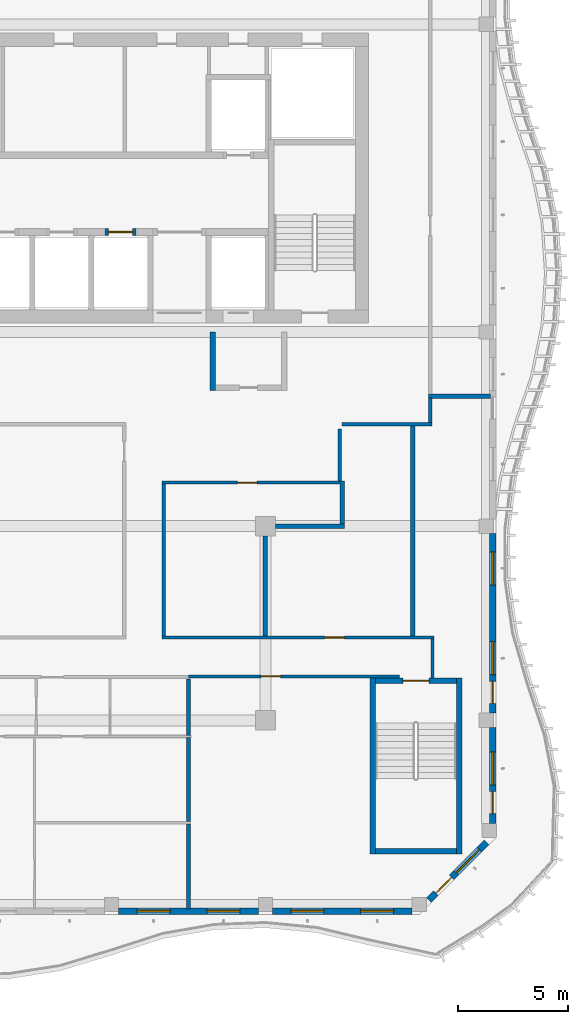
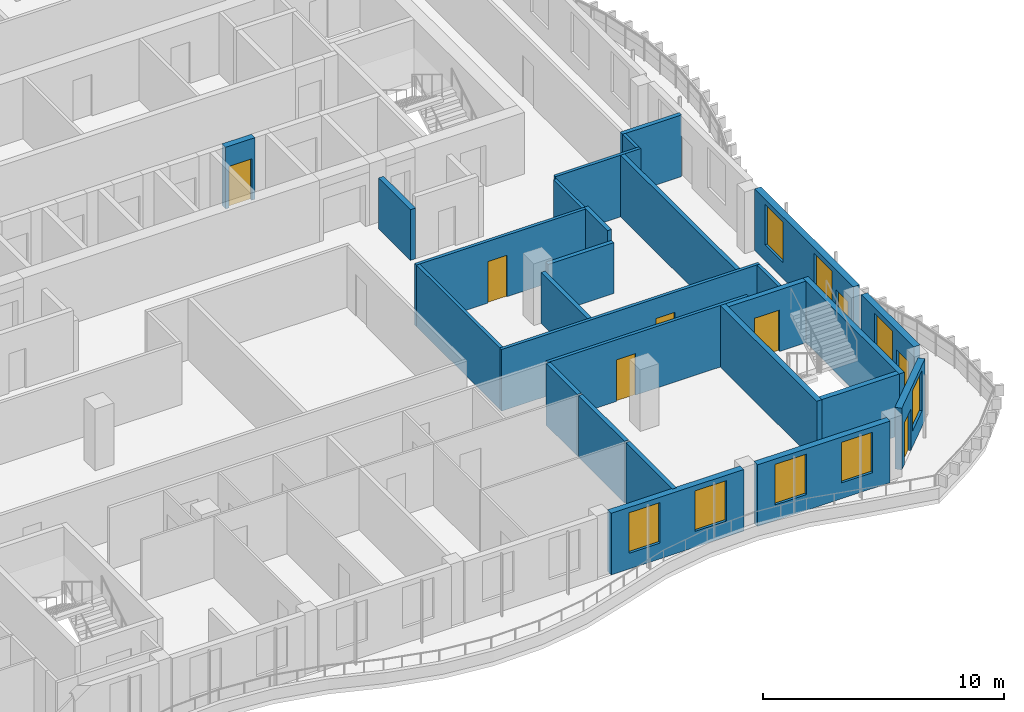
# One storey, part 5 of 18: 27 walls, 8 doors, 8 windows, 16 openings.
"""IFC4 building model written with IfcOpenShell, lengths in metres."""

from ifc_helpers import new_model, si_unit, direction, frame, frame_2d, origin, place, context, subcontext, project, spatial, rectangle, extrude, source, transform, mapped, material, layer, layer_set, type_object, element, fill, save


model = new_model("IFC4")

# Units and contexts
model_context = context("Model", 3, precision=1e-05, world=origin(), true_north=direction((0.0, 1.0)))
body_context = subcontext(model_context, "Body", "Model", "MODEL_VIEW")
ifc_project = project(units=[si_unit("LENGTHUNIT", "METRE"), si_unit("AREAUNIT", "SQUARE_METRE"), si_unit("VOLUMEUNIT", "CUBIC_METRE"), si_unit("PLANEANGLEUNIT", "RADIAN"), si_unit("MASSUNIT", "GRAM", prefix="KILO")], contexts=[model_context])

# Site, building, storey
site_placement = place(None, origin())
site = spatial("IfcSite", under=ifc_project, at=site_placement, CompositionType="ELEMENT")
building_placement = place(site_placement, origin())
building = spatial("IfcBuilding", under=site, at=building_placement, Name="Kilnfold Tower and Market Hall", CompositionType="ELEMENT")
storey_placement = place(building_placement, frame((0.0, 0.0, 280.60009765625)))
storey = spatial("IfcBuildingStorey", under=building, at=storey_placement, Name="L69", CompositionType="ELEMENT", Elevation=280.60009765625)

# Walls
ifc_material_1 = material(Name="Gypsum board on steel studs", Category="steel")
ifc_layer_1 = layer(ifc_material_1, 0.14990234375)
ifc_layer_set_1 = layer_set([ifc_layer_1], Name="Gypsum board on steel studs")
wall_type_1 = type_object("IfcWallType", Name="WALL CORRIDOR 150", PredefinedType="PARTITIONING", material=ifc_layer_set_1)
wall_1_placement = place(storey_placement, frame((20.5, 3.875, 0.0), z_axis=(0.0, 0.0, 1.0), x_axis=(0.0, 1.0, 0.0)))
element("IfcWall", 1, at=wall_1_placement, inside=storey, type_object=wall_type_1, Name="Partition LY42.15", PredefinedType="PARTITIONING", context=body_context, shape_type="SweptSolid", body=[
    extrude(rectangle(XDim=1.117919921875, YDim=0.14990234375, at=frame_2d((0.55908203125, 0.0))), origin(), (0.0, 0.0, 1.0), 3.119873046875),
])
wall_2_placement = place(storey_placement, frame((20.60009765625, -7.75, 0.0), z_axis=(0.0, 0.0, 1.0), x_axis=(0.0, 1.0, 0.0)))
element("IfcWall", 2, at=wall_2_placement, inside=storey, type_object=wall_type_1, Name="Partition LY42.16", PredefinedType="PARTITIONING", context=body_context, shape_type="SweptSolid", body=[
    extrude(rectangle(XDim=1.77490234375, YDim=0.14990234375, at=frame_2d((0.887451171875, 0.0))), origin(), (0.0, 0.0, 1.0), 3.119873046875),
])

# Wall, opening, door
wall_3_placement = place(storey_placement, frame((9.489990234375, -7.669921875, 0.0), z_axis=(0.0, 0.0, 1.0), x_axis=(1.0, 0.0, 0.0)))
wall_3 = element("IfcWall", 3, at=wall_3_placement, inside=storey, type_object=wall_type_1, Name="Partition LY42.17", PredefinedType="PARTITIONING", context=body_context, shape_type="SweptSolid", body=[
    extrude(rectangle(XDim=9.610107421875, YDim=0.14990234375, at=frame_2d((4.80517578125, 0.0))), origin(), (0.0, 0.0, 1.0), 3.119873046875),
])
opening_1_placement = place(wall_3_placement, frame((3.303955078125, 0.0, 0.0)))
opening_1 = element("IfcOpeningElement", 4, at=opening_1_placement, cuts=wall_3, Name="Opening D2", PredefinedType="OPENING", context=body_context, shape_type="SweptSolid", body=[
    extrude(rectangle(XDim=0.89990234375, YDim=2.10009765625, at=frame_2d((0.449951171875, 1.050048828125))), frame((0.0, 0.0849609375, 0.0), z_axis=(0.0, -1.0, 0.0), x_axis=(1.0, 0.0, 0.0)), (0.0, 0.0, 1.0), 0.169921875),
])
ifc_material_2 = material(Name="Timber veneer door leaf in steel frame", Category="steel")
door_type_1 = type_object("IfcDoorType", Name="DOOR ROOM 900 X2100", OperationType="NOTDEFINED", PredefinedType="DOOR", material=ifc_material_2)
door_1_placement = place(opening_1_placement, origin())
door_1 = element("IfcDoor", 5, at=door_1_placement, inside=storey, type_object=door_type_1, Name="Door D2", OperationType="SINGLE_SWING_RIGHT", OverallHeight=2.10009765625, OverallWidth=0.89990234375, PredefinedType="DOOR", context=body_context, shape_type="SweptSolid", body=[
    extrude(rectangle(XDim=0.89990234375, YDim=2.10009765625, at=frame_2d((0.449951171875, 1.050048828125))), frame((0.0, 0.02490234375, 0.0), z_axis=(0.0, -1.0, 0.0), x_axis=(1.0, 0.0, 0.0)), (0.0, 0.0, 1.0), 0.050048828125),
])
fill(opening_1, door_1)

# Wall
wall_4_placement = place(storey_placement, frame((16.3798828125, 1.22509765625, 0.0), z_axis=(0.0, 0.0, 1.0), x_axis=(0.0, 1.0, 0.0)))
element("IfcWall", 6, at=wall_4_placement, inside=storey, type_object=wall_type_1, Name="Partition LY42.28", PredefinedType="PARTITIONING", context=body_context, shape_type="SweptSolid", body=[
    extrude(rectangle(XDim=2.367919921875, YDim=0.14990234375, at=frame_2d((1.18408203125, 0.0))), origin(), (0.0, 0.0, 1.0), 3.119873046875),
])

# Wall, opening, door
wall_5_placement = place(storey_placement, frame((8.304931640625, 1.14990234375, 0.0), z_axis=(0.0, 0.0, 1.0), x_axis=(1.0, 0.0, 0.0)))
wall_5 = element("IfcWall", 7, at=wall_5_placement, inside=storey, type_object=wall_type_1, Name="Partition LY42.29", PredefinedType="PARTITIONING", context=body_context, shape_type="SweptSolid", body=[
    extrude(rectangle(XDim=8.094970703125, YDim=0.14990234375, at=frame_2d((4.04736328125, 0.0))), origin(), (0.0, 0.0, 1.0), 3.119873046875),
])
opening_2_placement = place(wall_5_placement, frame((3.424072265625, 0.0, 0.0)))
opening_2 = element("IfcOpeningElement", 8, at=opening_2_placement, cuts=wall_5, Name="Opening D2", PredefinedType="OPENING", context=body_context, shape_type="SweptSolid", body=[
    extrude(rectangle(XDim=0.89990234375, YDim=2.10009765625, at=frame_2d((0.449951171875, 1.050048828125))), frame((0.0, 0.0849609375, 0.0), z_axis=(0.0, -1.0, 0.0), x_axis=(1.0, 0.0, 0.0)), (0.0, 0.0, 1.0), 0.169921875),
])
door_2_placement = place(opening_2_placement, origin())
door_2 = element("IfcDoor", 9, at=door_2_placement, inside=storey, type_object=door_type_1, Name="Door D2", OperationType="SINGLE_SWING_LEFT", OverallHeight=2.10009765625, OverallWidth=0.89990234375, PredefinedType="DOOR", context=body_context, shape_type="SweptSolid", body=[
    extrude(rectangle(XDim=0.89990234375, YDim=2.10009765625, at=frame_2d((0.449951171875, 1.050048828125))), frame((0.0, 0.02490234375, 0.0), z_axis=(0.0, -1.0, 0.0), x_axis=(1.0, 0.0, 0.0)), (0.0, 0.0, 1.0), 0.050048828125),
])
fill(opening_2, door_2)

# Wall
wall_6_placement = place(storey_placement, frame((8.3798828125, -5.824951171875, 0.0), z_axis=(0.0, 0.0, 1.0), x_axis=(0.0, 1.0, 0.0)))
element("IfcWall", 10, at=wall_6_placement, inside=storey, type_object=wall_type_1, Name="Partition LY42.30", PredefinedType="PARTITIONING", context=body_context, shape_type="SweptSolid", body=[
    extrude(rectangle(XDim=6.89990234375, YDim=0.14990234375, at=frame_2d((3.449951171875, 0.0))), origin(), (0.0, 0.0, 1.0), 3.119873046875),
])

# Wall, opening, door
wall_7_placement = place(storey_placement, frame((8.304931640625, -5.89990234375, 0.0), z_axis=(0.0, 0.0, 1.0), x_axis=(1.0, 0.0, 0.0)))
wall_7 = element("IfcWall", 11, at=wall_7_placement, inside=storey, type_object=wall_type_1, Name="Partition LY42.31", PredefinedType="PARTITIONING", context=body_context, shape_type="SweptSolid", body=[
    extrude(rectangle(XDim=12.3701171875, YDim=0.14990234375, at=frame_2d((6.18505859375, 0.0))), origin(), (0.0, 0.0, 1.0), 3.119873046875),
])
opening_3_placement = place(wall_7_placement, frame((7.39404296875, 0.0, 0.0)))
opening_3 = element("IfcOpeningElement", 12, at=opening_3_placement, cuts=wall_7, Name="Opening D2", PredefinedType="OPENING", context=body_context, shape_type="SweptSolid", body=[
    extrude(rectangle(XDim=0.89990234375, YDim=2.10009765625, at=frame_2d((0.449951171875, 1.050048828125))), frame((0.0, 0.0849609375, 0.0), z_axis=(0.0, -1.0, 0.0), x_axis=(1.0, 0.0, 0.0)), (0.0, 0.0, 1.0), 0.169921875),
])
door_3_placement = place(opening_3_placement, origin())
door_3 = element("IfcDoor", 13, at=door_3_placement, inside=storey, type_object=door_type_1, Name="Door D2", OperationType="SINGLE_SWING_RIGHT", OverallHeight=2.10009765625, OverallWidth=0.89990234375, PredefinedType="DOOR", context=body_context, shape_type="SweptSolid", body=[
    extrude(rectangle(XDim=0.89990234375, YDim=2.10009765625, at=frame_2d((0.449951171875, 1.050048828125))), frame((0.0, 0.02490234375, 0.0), z_axis=(0.0, -1.0, 0.0), x_axis=(1.0, 0.0, 0.0)), (0.0, 0.0, 1.0), 0.050048828125),
])
fill(opening_3, door_3)

# Walls
wall_8_placement = place(storey_placement, frame((16.489990234375, 3.800048828125, 0.0), z_axis=(0.0, 0.0, 1.0), x_axis=(1.0, 0.0, 0.0)))
element("IfcWall", 14, at=wall_8_placement, inside=storey, type_object=wall_type_1, Name="Partition LY42.32", PredefinedType="PARTITIONING", context=body_context, shape_type="SweptSolid", body=[
    extrude(rectangle(XDim=4.0849609375, YDim=0.14990234375, at=frame_2d((2.04248046875, 0.0))), origin(), (0.0, 0.0, 1.0), 3.119873046875),
])
ifc_material_3 = material(Name="Gypsum board on steel studs", Category="steel")
ifc_layer_2 = layer(ifc_material_3, 0.199951171875)
ifc_layer_set_2 = layer_set([ifc_layer_2], Name="Gypsum board on steel studs")
wall_type_2 = type_object("IfcWallType", Name="WALL PARTY 200", PredefinedType="PARTITIONING", material=ifc_layer_set_2)
wall_9_placement = place(storey_placement, frame((9.5, -10.35009765625, 0.0), z_axis=(0.0, 0.0, 1.0), x_axis=(0.0, 1.0, 0.0)))
element("IfcWall", 15, at=wall_9_placement, inside=storey, type_object=wall_type_2, Name="Partition LY42.56", PredefinedType="PARTITIONING", context=body_context, shape_type="SweptSolid", body=[
    extrude(rectangle(XDim=2.572998046875, YDim=0.199951171875, at=frame_2d((1.28662109375, 0.0))), origin(), (0.0, 0.0, 1.0), 3.119873046875),
])
wall_10_placement = place(storey_placement, frame((9.5, -18.25, 0.0), z_axis=(0.0, 0.0, 1.0), x_axis=(0.0, 1.0, 0.0)))
element("IfcWall", 16, at=wall_10_placement, inside=storey, type_object=wall_type_2, Name="Partition LY42.60", PredefinedType="PARTITIONING", context=body_context, shape_type="SweptSolid", body=[
    extrude(rectangle(XDim=3.8740234375, YDim=0.199951171875, at=frame_2d((1.93701171875, 0.0))), origin(), (0.0, 0.0, 1.0), 3.119873046875),
])
wall_11_placement = place(storey_placement, frame((9.5, -14.27587890625, 0.0), z_axis=(0.0, 0.0, 1.0), x_axis=(0.0, 1.0, 0.0)))
element("IfcWall", 17, at=wall_11_placement, inside=storey, type_object=wall_type_2, Name="Partition LY42.61", PredefinedType="PARTITIONING", context=body_context, shape_type="SweptSolid", body=[
    extrude(rectangle(XDim=3.823974609375, YDim=0.199951171875, at=frame_2d((1.912109375, 0.0))), origin(), (0.0, 0.0, 1.0), 3.119873046875),
])
wall_12_placement = place(storey_placement, frame((23.25, 5.0830078125, 0.0), z_axis=(0.0, 0.0, 1.0), x_axis=(-1.0, 0.0, 0.0)))
element("IfcWall", 18, at=wall_12_placement, inside=storey, type_object=wall_type_2, Name="Partition LY42.62", PredefinedType="PARTITIONING", context=body_context, shape_type="SweptSolid", body=[
    extrude(rectangle(XDim=2.822998046875, YDim=0.199951171875, at=frame_2d((1.41162109375, 0.0))), origin(), (0.0, 0.0, 1.0), 3.119873046875),
])
wall_13_placement = place(storey_placement, frame((19.699951171875, 3.722900390625, 0.0), z_axis=(0.0, 0.0, 1.0), x_axis=(0.0, -1.0, 0.0)))
element("IfcWall", 19, at=wall_13_placement, inside=storey, type_object=wall_type_2, Name="Partition LY42.63", PredefinedType="PARTITIONING", context=body_context, shape_type="SweptSolid", body=[
    extrude(rectangle(XDim=9.5458984375, YDim=0.199951171875, at=frame_2d((4.77294921875, 0.0))), origin(), (0.0, 0.0, 1.0), 3.119873046875),
])
wall_14_placement = place(storey_placement, frame((16.5, -0.73291015625, 0.0), z_axis=(0.0, 0.0, 1.0), x_axis=(0.0, 1.0, 0.0)))
element("IfcWall", 20, at=wall_14_placement, inside=storey, type_object=wall_type_2, Name="Partition LY42.80", PredefinedType="PARTITIONING", context=body_context, shape_type="SweptSolid", body=[
    extrude(rectangle(XDim=1.9580078125, YDim=0.199951171875, at=frame_2d((0.97900390625, 0.0))), origin(), (0.0, 0.0, 1.0), 3.119873046875),
])
wall_15_placement = place(storey_placement, frame((13.449951171875, -0.8330078125, 0.0), z_axis=(0.0, 0.0, 1.0), x_axis=(1.0, 0.0, 0.0)))
element("IfcWall", 21, at=wall_15_placement, inside=storey, type_object=wall_type_2, Name="Partition LY42.81", PredefinedType="PARTITIONING", context=body_context, shape_type="SweptSolid", body=[
    extrude(rectangle(XDim=3.150146484375, YDim=0.199951171875, at=frame_2d((1.5751953125, 0.0))), origin(), (0.0, 0.0, 1.0), 2.56982421875),
])
wall_16_placement = place(storey_placement, frame((13.0, -5.822998046875, 0.0), z_axis=(0.0, 0.0, 1.0), x_axis=(0.0, 1.0, 0.0)))
element("IfcWall", 22, at=wall_16_placement, inside=storey, type_object=wall_type_2, Name="Partition LY42.82", PredefinedType="PARTITIONING", context=body_context, shape_type="SweptSolid", body=[
    extrude(rectangle(XDim=4.5400390625, YDim=0.199951171875, at=frame_2d((2.27001953125, 0.0))), origin(), (0.0, 0.0, 1.0), 2.56982421875),
])
ifc_material_4 = material(Name="Concrete C50", Category="concrete")
ifc_layer_3 = layer(ifc_material_4, 0.25)
ifc_layer_set_3 = layer_set([ifc_layer_3], Name="Concrete C50")
wall_type_3 = type_object("IfcWallType", Name="CORE WALL 250 C50", PredefinedType="SHEAR", material=ifc_layer_set_3)
shared_shape_1 = source(origin(), body_context, "Body", "SweptSolid", [
    extrude(rectangle(XDim=3.699951171875, YDim=0.25, at=frame_2d((1.85009765625, 0.0))), origin(), (0.0, 0.0, 1.0), 3.119873046875),
])
wall_17_placement = place(storey_placement, frame((18.0, -15.625, 0.0), z_axis=(0.0, 0.0, 1.0), x_axis=(1.0, 0.0, 0.0)))
element("IfcWall", 23, at=wall_17_placement, inside=storey, type_object=wall_type_3, Name="Stair enclosure ST4", PredefinedType="SHEAR", context=body_context, shape_type="MappedRepresentation", body=[
    mapped(shared_shape_1, transform((0.0, 0.0, 0.0))),
])

# Wall, opening, door
wall_18_placement = place(storey_placement, frame((18.0, -7.875, 0.0), z_axis=(0.0, 0.0, 1.0), x_axis=(1.0, 0.0, 0.0)))
wall_18 = element("IfcWall", 24, at=wall_18_placement, inside=storey, type_object=wall_type_3, Name="Stair enclosure ST4", PredefinedType="SHEAR", context=body_context, shape_type="MappedRepresentation", body=[
    mapped(shared_shape_1, transform((0.0, 0.0, 0.0))),
])
opening_4_placement = place(wall_18_placement, frame((1.25, 0.0, 0.0)))
opening_4 = element("IfcOpeningElement", 25, at=opening_4_placement, cuts=wall_18, Name="Opening SD1", PredefinedType="OPENING", context=body_context, shape_type="SweptSolid", body=[
    extrude(rectangle(XDim=1.199951171875, YDim=2.10009765625, at=frame_2d((0.60009765625, 1.050048828125))), frame((0.0, 0.135009765625, 0.0), z_axis=(0.0, -1.0, 0.0), x_axis=(1.0, 0.0, 0.0)), (0.0, 0.0, 1.0), 0.27001953125),
])
ifc_material_5 = material(Name="Steel door set with fire-resisting leaf", Category="steel")
door_type_2 = type_object("IfcDoorType", Name="STAIR FLOOR DOOR 1200X2100", OperationType="NOTDEFINED", PredefinedType="DOOR", material=ifc_material_5)
door_4_placement = place(opening_4_placement, origin())
door_4 = element("IfcDoor", 26, at=door_4_placement, inside=storey, type_object=door_type_2, Name="Exit stair ST4 door", OperationType="DOUBLE_DOOR_SINGLE_SWING", OverallHeight=2.10009765625, OverallWidth=1.199951171875, PredefinedType="DOOR", context=body_context, shape_type="SweptSolid", body=[
    extrude(rectangle(XDim=1.199951171875, YDim=2.10009765625, at=frame_2d((0.60009765625, 1.050048828125))), frame((0.0, 0.02490234375, 0.0), z_axis=(0.0, -1.0, 0.0), x_axis=(1.0, 0.0, 0.0)), (0.0, 0.0, 1.0), 0.050048828125),
])
fill(opening_4, door_4)

# Walls
shared_shape_2 = source(origin(), body_context, "Body", "SweptSolid", [
    extrude(rectangle(XDim=8.0, YDim=0.25, at=frame_2d((4.0, 0.0))), origin(), (0.0, 0.0, 1.0), 3.119873046875),
])
for number, where, z_axis, x_axis, name in (
    (27, (17.875, -15.75, 0.0), (0.0, 0.0, 1.0), (0.0, 1.0, 0.0), "Stair enclosure ST4"),
    (28, (21.824951171875, -15.75, 0.0), (0.0, 0.0, 1.0), (0.0, 1.0, 0.0), "Stair enclosure ST4"),
):
    element("IfcWall", number, at=place(storey_placement, frame(where, z_axis=z_axis, x_axis=x_axis)), inside=storey, type_object=wall_type_3, Name=name, PredefinedType="SHEAR", context=body_context, shape_type="MappedRepresentation", body=[
        mapped(shared_shape_2, transform((0.0, 0.0, 0.0))),
    ])

# Wall, openings, windows
ifc_material_6 = material(Name="Precast concrete C50/60", Category="concrete")
ifc_layer_4 = layer(ifc_material_6, 0.300048828125)
ifc_layer_set_4 = layer_set([ifc_layer_4], Name="Precast concrete C50/60")
wall_type_4 = type_object("IfcWallType", Name="PRECAST WALL 300", PredefinedType="SOLIDWALL", material=ifc_layer_set_4)
shared_shape_3 = source(origin(), body_context, "Body", "SweptSolid", [
    extrude(rectangle(XDim=6.35009765625, YDim=0.300048828125, at=frame_2d((3.175048828125, 0.0))), origin(), (0.0, 0.0, 1.0), 3.119873046875),
])
wall_19_placement = place(storey_placement, frame((6.324951171875, -18.35009765625, 0.0), z_axis=(0.0, 0.0, 1.0), x_axis=(1.0, 0.0, 0.0)))
wall_19 = element("IfcWall", 29, at=wall_19_placement, inside=storey, type_object=wall_type_4, Name="External wall L69 S", PredefinedType="SOLIDWALL", context=body_context, shape_type="MappedRepresentation", body=[
    mapped(shared_shape_3, transform((0.0, 0.0, 0.0))),
])
opening_5_placement = place(wall_19_placement, frame((0.83740234375, 0.0, 0.800048828125)))
opening_5 = element("IfcOpeningElement", 30, at=opening_5_placement, cuts=wall_19, Name="Opening W5", PredefinedType="OPENING", context=body_context, shape_type="SweptSolid", body=[
    extrude(rectangle(XDim=1.5, YDim=2.050048828125, at=frame_2d((0.75, 1.02490234375))), frame((0.0, 0.16015625, 0.0), z_axis=(0.0, -1.0, 0.0), x_axis=(1.0, 0.0, 0.0)), (0.0, 0.0, 1.0), 0.320068359375),
])
opening_6_placement = place(wall_19_placement, frame((4.012451171875, 0.0, 0.800048828125)))
opening_6 = element("IfcOpeningElement", 31, at=opening_6_placement, cuts=wall_19, Name="Opening W5", PredefinedType="OPENING", context=body_context, shape_type="SweptSolid", body=[
    extrude(rectangle(XDim=1.5, YDim=2.050048828125, at=frame_2d((0.75, 1.02490234375))), frame((0.0, 0.16015625, 0.0), z_axis=(0.0, -1.0, 0.0), x_axis=(1.0, 0.0, 0.0)), (0.0, 0.0, 1.0), 0.320068359375),
])
ifc_material_7 = material(Name="Aluminium frame and double glazing", Category="aluminium")
window_type = type_object("IfcWindowType", Name="WINDOW W5 1500X2050", PartitioningType="SINGLE_PANEL", PredefinedType="WINDOW", material=ifc_material_7)
window_1_placement = place(opening_5_placement, origin())
window_1 = element("IfcWindow", 32, at=window_1_placement, inside=storey, type_object=window_type, Name="Window W5 L69 S-1", OverallHeight=2.050048828125, OverallWidth=1.5, PartitioningType="SINGLE_PANEL", PredefinedType="WINDOW", context=body_context, shape_type="SweptSolid", body=[
    extrude(rectangle(XDim=1.5, YDim=2.050048828125, at=frame_2d((0.75, 1.02490234375))), frame((0.0, 0.030029296875, 0.0), z_axis=(0.0, -1.0, 0.0), x_axis=(1.0, 0.0, 0.0)), (0.0, 0.0, 1.0), 0.06005859375),
])
fill(opening_5, window_1)
window_2_placement = place(opening_6_placement, origin())
window_2 = element("IfcWindow", 33, at=window_2_placement, inside=storey, type_object=window_type, Name="Window W5 L69 S-2", OverallHeight=2.050048828125, OverallWidth=1.5, PartitioningType="SINGLE_PANEL", PredefinedType="WINDOW", context=body_context, shape_type="SweptSolid", body=[
    extrude(rectangle(XDim=1.5, YDim=2.050048828125, at=frame_2d((0.75, 1.02490234375))), frame((0.0, 0.030029296875, 0.0), z_axis=(0.0, -1.0, 0.0), x_axis=(1.0, 0.0, 0.0)), (0.0, 0.0, 1.0), 0.06005859375),
])
fill(opening_6, window_2)

wall_20_placement = place(storey_placement, frame((13.324951171875, -18.35009765625, 0.0), z_axis=(0.0, 0.0, 1.0), x_axis=(1.0, 0.0, 0.0)))
wall_20 = element("IfcWall", 34, at=wall_20_placement, inside=storey, type_object=wall_type_4, Name="External wall L69 S", PredefinedType="SOLIDWALL", context=body_context, shape_type="MappedRepresentation", body=[
    mapped(shared_shape_3, transform((0.0, 0.0, 0.0))),
])
opening_7_placement = place(wall_20_placement, frame((0.83740234375, 0.0, 0.800048828125)))
opening_7 = element("IfcOpeningElement", 35, at=opening_7_placement, cuts=wall_20, Name="Opening W5", PredefinedType="OPENING", context=body_context, shape_type="SweptSolid", body=[
    extrude(rectangle(XDim=1.5, YDim=2.050048828125, at=frame_2d((0.75, 1.02490234375))), frame((0.0, 0.16015625, 0.0), z_axis=(0.0, -1.0, 0.0), x_axis=(1.0, 0.0, 0.0)), (0.0, 0.0, 1.0), 0.320068359375),
])
opening_8_placement = place(wall_20_placement, frame((4.012451171875, 0.0, 0.800048828125)))
opening_8 = element("IfcOpeningElement", 36, at=opening_8_placement, cuts=wall_20, Name="Opening W5", PredefinedType="OPENING", context=body_context, shape_type="SweptSolid", body=[
    extrude(rectangle(XDim=1.5, YDim=2.050048828125, at=frame_2d((0.75, 1.02490234375))), frame((0.0, 0.16015625, 0.0), z_axis=(0.0, -1.0, 0.0), x_axis=(1.0, 0.0, 0.0)), (0.0, 0.0, 1.0), 0.320068359375),
])
window_3_placement = place(opening_7_placement, origin())
window_3 = element("IfcWindow", 37, at=window_3_placement, inside=storey, type_object=window_type, Name="Window W5 L69 S-1", OverallHeight=2.050048828125, OverallWidth=1.5, PartitioningType="SINGLE_PANEL", PredefinedType="WINDOW", context=body_context, shape_type="SweptSolid", body=[
    extrude(rectangle(XDim=1.5, YDim=2.050048828125, at=frame_2d((0.75, 1.02490234375))), frame((0.0, 0.030029296875, 0.0), z_axis=(0.0, -1.0, 0.0), x_axis=(1.0, 0.0, 0.0)), (0.0, 0.0, 1.0), 0.06005859375),
])
fill(opening_7, window_3)
window_4_placement = place(opening_8_placement, origin())
window_4 = element("IfcWindow", 38, at=window_4_placement, inside=storey, type_object=window_type, Name="Window W5 L69 S-2", OverallHeight=2.050048828125, OverallWidth=1.5, PartitioningType="SINGLE_PANEL", PredefinedType="WINDOW", context=body_context, shape_type="SweptSolid", body=[
    extrude(rectangle(XDim=1.5, YDim=2.050048828125, at=frame_2d((0.75, 1.02490234375))), frame((0.0, 0.030029296875, 0.0), z_axis=(0.0, -1.0, 0.0), x_axis=(1.0, 0.0, 0.0)), (0.0, 0.0, 1.0), 0.06005859375),
])
fill(opening_8, window_4)

# Wall, openings, door, window
shared_shape_4 = source(origin(), body_context, "Body", "SweptSolid", [
    extrude(rectangle(XDim=3.71240234375, YDim=0.300048828125, at=frame_2d((1.856201171875, 0.0))), origin(), (0.0, 0.0, 1.0), 3.119873046875),
])
wall_21_placement = place(storey_placement, frame((20.44384765625, -17.843994140625, 0.0), z_axis=(0.0, 0.0, 1.0), x_axis=(0.707106781187, 0.707106781187, 0.0)))
wall_21 = element("IfcWall", 39, at=wall_21_placement, inside=storey, type_object=wall_type_4, Name="External wall L69 SE", PredefinedType="SOLIDWALL", context=body_context, shape_type="MappedRepresentation", body=[
    mapped(shared_shape_4, transform((0.0, 0.0, 0.0))),
])
opening_9_placement = place(wall_21_placement, frame((1.75, 0.0, 0.800048828125)))
opening_9 = element("IfcOpeningElement", 40, at=opening_9_placement, cuts=wall_21, Name="Opening W5", PredefinedType="OPENING", context=body_context, shape_type="SweptSolid", body=[
    extrude(rectangle(XDim=1.5, YDim=2.050048828125, at=frame_2d((0.75, 1.02490234375))), frame((0.0, 0.16015625, 0.0), z_axis=(0.0, -1.0, 0.0), x_axis=(1.0, 0.0, 0.0)), (0.0, 0.0, 1.0), 0.320068359375),
])
opening_10_placement = place(wall_21_placement, frame((0.449951171875, 0.0, 0.0)))
opening_10 = element("IfcOpeningElement", 41, at=opening_10_placement, cuts=wall_21, Name="Opening BD1", PredefinedType="OPENING", context=body_context, shape_type="SweptSolid", body=[
    extrude(rectangle(XDim=1.0, YDim=2.10009765625, at=frame_2d((0.5, 1.050048828125))), frame((0.0, 0.16015625, 0.0), z_axis=(0.0, -1.0, 0.0), x_axis=(1.0, 0.0, 0.0)), (0.0, 0.0, 1.0), 0.320068359375),
])
ifc_material_8 = material(Name="Aluminium frame and double glazing", Category="aluminium")
door_type_3 = type_object("IfcDoorType", Name="BALCONY DOOR 1000X2100", OperationType="NOTDEFINED", PredefinedType="DOOR", material=ifc_material_8)
door_5_placement = place(opening_10_placement, origin())
door_5 = element("IfcDoor", 42, at=door_5_placement, inside=storey, type_object=door_type_3, Name="Balcony door BD1 L69 SE-1", OperationType="SINGLE_SWING_LEFT", OverallHeight=2.10009765625, OverallWidth=1.0, PredefinedType="DOOR", context=body_context, shape_type="SweptSolid", body=[
    extrude(rectangle(XDim=1.0, YDim=2.10009765625, at=frame_2d((0.5, 1.050048828125))), frame((0.0, 0.02490234375, 0.0), z_axis=(0.0, -1.0, 0.0), x_axis=(1.0, 0.0, 0.0)), (0.0, 0.0, 1.0), 0.050048828125),
])
fill(opening_10, door_5)
window_5_placement = place(opening_9_placement, origin())
window_5 = element("IfcWindow", 43, at=window_5_placement, inside=storey, type_object=window_type, Name="Window W5 L69 SE-1", OverallHeight=2.050048828125, OverallWidth=1.5, PartitioningType="SINGLE_PANEL", PredefinedType="WINDOW", context=body_context, shape_type="SweptSolid", body=[
    extrude(rectangle(XDim=1.5, YDim=2.050048828125, at=frame_2d((0.75, 1.02490234375))), frame((0.0, 0.030029296875, 0.0), z_axis=(0.0, -1.0, 0.0), x_axis=(1.0, 0.0, 0.0)), (0.0, 0.0, 1.0), 0.06005859375),
])
fill(opening_9, window_5)

shared_shape_5 = source(origin(), body_context, "Body", "SweptSolid", [
    extrude(rectangle(XDim=4.364990234375, YDim=0.300048828125, at=frame_2d((2.1826171875, 0.0))), origin(), (0.0, 0.0, 1.0), 3.119873046875),
])
wall_22_placement = place(storey_placement, frame((23.35009765625, -14.356689453125, 0.0), z_axis=(0.0, 0.0, 1.0), x_axis=(0.0, 1.0, 0.0)))
wall_22 = element("IfcWall", 44, at=wall_22_placement, inside=storey, type_object=wall_type_4, Name="External wall L69 E", PredefinedType="SOLIDWALL", context=body_context, shape_type="MappedRepresentation", body=[
    mapped(shared_shape_5, transform((0.0, 0.0, 0.0))),
])
opening_11_placement = place(wall_22_placement, frame((1.75, 0.0, 0.800048828125)))
opening_11 = element("IfcOpeningElement", 45, at=opening_11_placement, cuts=wall_22, Name="Opening W5", PredefinedType="OPENING", context=body_context, shape_type="SweptSolid", body=[
    extrude(rectangle(XDim=1.5, YDim=2.050048828125, at=frame_2d((0.75, 1.02490234375))), frame((0.0, 0.16015625, 0.0), z_axis=(0.0, -1.0, 0.0), x_axis=(1.0, 0.0, 0.0)), (0.0, 0.0, 1.0), 0.320068359375),
])
opening_12_placement = place(wall_22_placement, frame((0.449951171875, 0.0, 0.0)))
opening_12 = element("IfcOpeningElement", 46, at=opening_12_placement, cuts=wall_22, Name="Opening BD1", PredefinedType="OPENING", context=body_context, shape_type="SweptSolid", body=[
    extrude(rectangle(XDim=1.0, YDim=2.10009765625, at=frame_2d((0.5, 1.050048828125))), frame((0.0, 0.16015625, 0.0), z_axis=(0.0, -1.0, 0.0), x_axis=(1.0, 0.0, 0.0)), (0.0, 0.0, 1.0), 0.320068359375),
])
door_6_placement = place(opening_12_placement, origin())
door_6 = element("IfcDoor", 47, at=door_6_placement, inside=storey, type_object=door_type_3, Name="Balcony door BD1 L69 E-1", OperationType="SINGLE_SWING_LEFT", OverallHeight=2.10009765625, OverallWidth=1.0, PredefinedType="DOOR", context=body_context, shape_type="SweptSolid", body=[
    extrude(rectangle(XDim=1.0, YDim=2.10009765625, at=frame_2d((0.5, 1.050048828125))), frame((0.0, 0.02490234375, 0.0), z_axis=(0.0, -1.0, 0.0), x_axis=(1.0, 0.0, 0.0)), (0.0, 0.0, 1.0), 0.050048828125),
])
fill(opening_12, door_6)
window_6_placement = place(opening_11_placement, origin())
window_6 = element("IfcWindow", 48, at=window_6_placement, inside=storey, type_object=window_type, Name="Window W5 L69 E-1", OverallHeight=2.050048828125, OverallWidth=1.5, PartitioningType="SINGLE_PANEL", PredefinedType="WINDOW", context=body_context, shape_type="SweptSolid", body=[
    extrude(rectangle(XDim=1.5, YDim=2.050048828125, at=frame_2d((0.75, 1.02490234375))), frame((0.0, 0.030029296875, 0.0), z_axis=(0.0, -1.0, 0.0), x_axis=(1.0, 0.0, 0.0)), (0.0, 0.0, 1.0), 0.06005859375),
])
fill(opening_11, window_6)

# Wall, openings, door, windows
shared_shape_6 = source(origin(), body_context, "Body", "SweptSolid", [
    extrude(rectangle(XDim=8.18359375, YDim=0.300048828125, at=frame_2d((4.091796875, 0.0))), origin(), (0.0, 0.0, 1.0), 3.119873046875),
])
wall_23_placement = place(storey_placement, frame((23.35009765625, -9.341796875, 0.0), z_axis=(0.0, 0.0, 1.0), x_axis=(0.0, 1.0, 0.0)))
wall_23 = element("IfcWall", 49, at=wall_23_placement, inside=storey, type_object=wall_type_4, Name="External wall L69 E", PredefinedType="SOLIDWALL", context=body_context, shape_type="MappedRepresentation", body=[
    mapped(shared_shape_6, transform((0.0, 0.0, 0.0))),
])
opening_13_placement = place(wall_23_placement, frame((1.75, 0.0, 0.800048828125)))
opening_13 = element("IfcOpeningElement", 50, at=opening_13_placement, cuts=wall_23, Name="Opening W5", PredefinedType="OPENING", context=body_context, shape_type="SweptSolid", body=[
    extrude(rectangle(XDim=1.5, YDim=2.050048828125, at=frame_2d((0.75, 1.02490234375))), frame((0.0, 0.16015625, 0.0), z_axis=(0.0, -1.0, 0.0), x_axis=(1.0, 0.0, 0.0)), (0.0, 0.0, 1.0), 0.320068359375),
])
opening_14_placement = place(wall_23_placement, frame((0.449951171875, 0.0, 0.0)))
opening_14 = element("IfcOpeningElement", 51, at=opening_14_placement, cuts=wall_23, Name="Opening BD1", PredefinedType="OPENING", context=body_context, shape_type="SweptSolid", body=[
    extrude(rectangle(XDim=1.0, YDim=2.10009765625, at=frame_2d((0.5, 1.050048828125))), frame((0.0, 0.16015625, 0.0), z_axis=(0.0, -1.0, 0.0), x_axis=(1.0, 0.0, 0.0)), (0.0, 0.0, 1.0), 0.320068359375),
])
opening_15_placement = place(wall_23_placement, frame((5.841796875, 0.0, 0.800048828125)))
opening_15 = element("IfcOpeningElement", 52, at=opening_15_placement, cuts=wall_23, Name="Opening W5", PredefinedType="OPENING", context=body_context, shape_type="SweptSolid", body=[
    extrude(rectangle(XDim=1.5, YDim=2.050048828125, at=frame_2d((0.75, 1.02490234375))), frame((0.0, 0.16015625, 0.0), z_axis=(0.0, -1.0, 0.0), x_axis=(1.0, 0.0, 0.0)), (0.0, 0.0, 1.0), 0.320068359375),
])
door_7_placement = place(opening_14_placement, origin())
door_7 = element("IfcDoor", 53, at=door_7_placement, inside=storey, type_object=door_type_3, Name="Balcony door BD1 L69 E-1", OperationType="SINGLE_SWING_LEFT", OverallHeight=2.10009765625, OverallWidth=1.0, PredefinedType="DOOR", context=body_context, shape_type="SweptSolid", body=[
    extrude(rectangle(XDim=1.0, YDim=2.10009765625, at=frame_2d((0.5, 1.050048828125))), frame((0.0, 0.02490234375, 0.0), z_axis=(0.0, -1.0, 0.0), x_axis=(1.0, 0.0, 0.0)), (0.0, 0.0, 1.0), 0.050048828125),
])
fill(opening_14, door_7)
window_7_placement = place(opening_13_placement, origin())
window_7 = element("IfcWindow", 54, at=window_7_placement, inside=storey, type_object=window_type, Name="Window W5 L69 E-1", OverallHeight=2.050048828125, OverallWidth=1.5, PartitioningType="SINGLE_PANEL", PredefinedType="WINDOW", context=body_context, shape_type="SweptSolid", body=[
    extrude(rectangle(XDim=1.5, YDim=2.050048828125, at=frame_2d((0.75, 1.02490234375))), frame((0.0, 0.030029296875, 0.0), z_axis=(0.0, -1.0, 0.0), x_axis=(1.0, 0.0, 0.0)), (0.0, 0.0, 1.0), 0.06005859375),
])
fill(opening_13, window_7)
window_8_placement = place(opening_15_placement, origin())
window_8 = element("IfcWindow", 55, at=window_8_placement, inside=storey, type_object=window_type, Name="Window W5 L69 E-2", OverallHeight=2.050048828125, OverallWidth=1.5, PartitioningType="SINGLE_PANEL", PredefinedType="WINDOW", context=body_context, shape_type="SweptSolid", body=[
    extrude(rectangle(XDim=1.5, YDim=2.050048828125, at=frame_2d((0.75, 1.02490234375))), frame((0.0, 0.030029296875, 0.0), z_axis=(0.0, -1.0, 0.0), x_axis=(1.0, 0.0, 0.0)), (0.0, 0.0, 1.0), 0.06005859375),
])
fill(opening_15, window_8)

# Wall, opening, door
ifc_material_9 = material(Name="Gypsum shaft wall system")
ifc_layer_5 = layer(ifc_material_9, 0.300048828125)
ifc_layer_set_5 = layer_set([ifc_layer_5], Name="Gypsum shaft wall system")
wall_type_5 = type_object("IfcWallType", Name="SHAFT WALL 300", PredefinedType="PARTITIONING", material=ifc_layer_set_5)
shared_shape_7 = source(origin(), body_context, "Body", "SweptSolid", [
    extrude(rectangle(XDim=1.400146484375, YDim=0.300048828125, at=frame_2d((0.7001953125, 0.0))), origin(), (0.0, 0.0, 1.0), 3.119873046875),
])
wall_24_placement = place(storey_placement, frame((5.7099609375, 12.550048828125, 0.0), z_axis=(0.0, 0.0, 1.0), x_axis=(1.0, 0.0, 0.0)))
wall_24 = element("IfcWall", 56, at=wall_24_placement, inside=storey, type_object=wall_type_5, Name="Lift shaft front wall", PredefinedType="PARTITIONING", context=body_context, shape_type="MappedRepresentation", body=[
    mapped(shared_shape_7, transform((0.0, 0.0, 0.0))),
])
opening_16_placement = place(wall_24_placement, frame((0.14990234375, 0.0, 0.0)))
opening_16 = element("IfcOpeningElement", 57, at=opening_16_placement, cuts=wall_24, Name="Opening LD2", PredefinedType="OPENING", context=body_context, shape_type="SweptSolid", body=[
    extrude(rectangle(XDim=1.10009765625, YDim=2.10009765625, at=frame_2d((0.550048828125, 1.050048828125))), frame((0.0, 0.16015625, 0.0), z_axis=(0.0, -1.0, 0.0), x_axis=(1.0, 0.0, 0.0)), (0.0, 0.0, 1.0), 0.320068359375),
])
ifc_material_10 = material(Name="Steel door set with fire-resisting leaf", Category="steel")
door_type_4 = type_object("IfcDoorType", Name="LANDING DOOR 1100X2100", OperationType="NOTDEFINED", PredefinedType="DOOR", material=ifc_material_10)
door_8_placement = place(opening_16_placement, origin())
door_8 = element("IfcDoor", 58, at=door_8_placement, inside=storey, type_object=door_type_4, Name="Landing door HR5", OperationType="DOUBLE_DOOR_SLIDING", OverallHeight=2.10009765625, OverallWidth=1.10009765625, PredefinedType="DOOR", context=body_context, shape_type="SweptSolid", body=[
    extrude(rectangle(XDim=1.10009765625, YDim=2.10009765625, at=frame_2d((0.550048828125, 1.050048828125))), frame((0.0, 0.02490234375, 0.0), z_axis=(0.0, -1.0, 0.0), x_axis=(1.0, 0.0, 0.0)), (0.0, 0.0, 1.0), 0.050048828125),
])
fill(opening_16, door_8)

# Wall
ifc_material_11 = material(Name="Gypsum shaft wall system")
ifc_layer_6 = layer(ifc_material_11, 0.25)
ifc_layer_set_6 = layer_set([ifc_layer_6], Name="Gypsum shaft wall system")
wall_type_6 = type_object("IfcWallType", Name="LOBBY WALL 250", PredefinedType="PARTITIONING", material=ifc_layer_set_6)
shared_shape_8 = source(origin(), body_context, "Body", "SweptSolid", [
    extrude(rectangle(XDim=2.64990234375, YDim=0.25, at=frame_2d((1.324951171875, 0.0))), origin(), (0.0, 0.0, 1.0), 2.56982421875),
])
wall_25_placement = place(storey_placement, frame((10.60498046875, 5.35009765625, 0.0), z_axis=(0.0, 0.0, 1.0), x_axis=(0.0, 1.0, 0.0)))
element("IfcWall", 59, at=wall_25_placement, inside=storey, type_object=wall_type_6, Name="Firefighting lobby wall", PredefinedType="PARTITIONING", context=body_context, shape_type="MappedRepresentation", body=[
    mapped(shared_shape_8, transform((0.0, 0.0, 0.0))),
])

save(model, "model.ifc")
